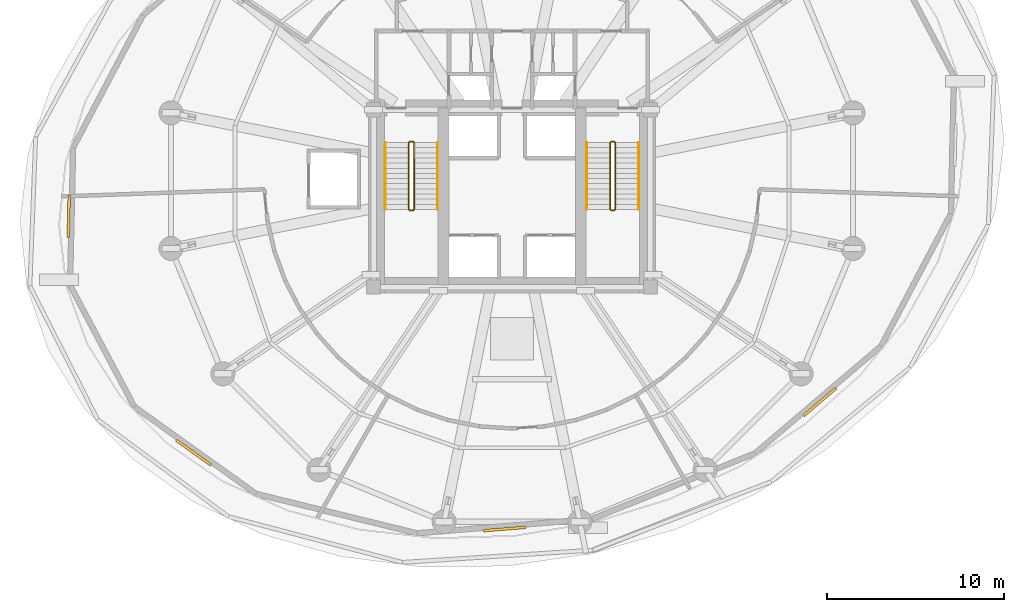
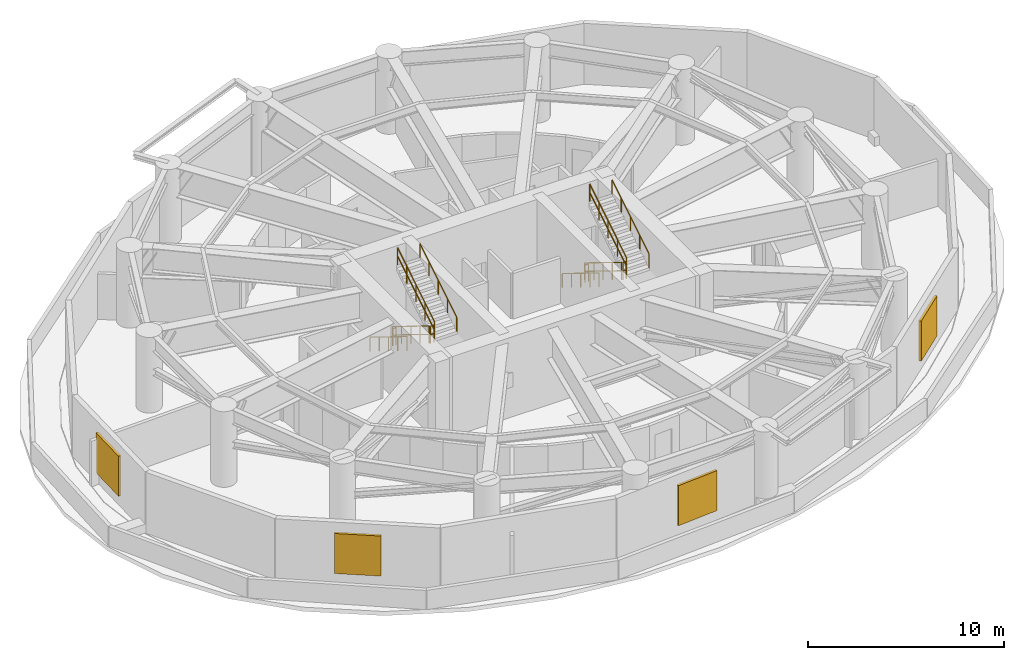
# One storey, part 7 of 8: 12 railings, 4 shading devices.
"""IFC4 building model written with IfcOpenShell, lengths in metres."""

from ifc_helpers import new_model, si_unit, direction, frame, origin, origin_2d, place, context, subcontext, project, spatial, rectangle, extrude, material, layer, layer_set, type_object, element, save


model = new_model("IFC4")

# Units and contexts
model_context = context("Model", 3, precision=1e-05, world=origin(), true_north=direction((0.0, 1.0)))
body_context = subcontext(model_context, "Body", "Model", "MODEL_VIEW")
ifc_project = project(units=[si_unit("LENGTHUNIT", "METRE"), si_unit("AREAUNIT", "SQUARE_METRE"), si_unit("VOLUMEUNIT", "CUBIC_METRE"), si_unit("PLANEANGLEUNIT", "RADIAN"), si_unit("MASSUNIT", "GRAM", prefix="KILO"), si_unit("THERMODYNAMICTEMPERATUREUNIT", "KELVIN"), si_unit("POWERUNIT", "WATT")], contexts=[model_context])

# Site, building, storey
site_placement = place(None, origin())
site = spatial("IfcSite", under=ifc_project, at=site_placement, CompositionType="ELEMENT")
building_placement = place(site_placement, origin())
building = spatial("IfcBuilding", under=site, at=building_placement, Name="Ocrelia Relay Tower", CompositionType="ELEMENT")
storey_placement = place(building_placement, frame((0.0, 0.0, 88.800048828125)))
storey = spatial("IfcBuildingStorey", under=building, at=storey_placement, Name="L20", CompositionType="ELEMENT", Elevation=88.800048828125)

# Railings
ifc_material_1 = material(Name="Steel S355 balustrade", Category="steel")
railing_type_1 = type_object("IfcRailingType", Name="RL-STAIR-GUARD", PredefinedType="GUARDRAIL", material=ifc_material_1)
railing_1_placement = place(storey_placement, frame((28.179931640625, 28.14990234375, 0.178466796875)))
element("IfcRailing", 1, at=railing_1_placement, inside=storey, type_object=railing_type_1, Name="L20 ST1 stair guard 1", PredefinedType="GUARDRAIL", context=body_context, shape_type="SweptSolid", body=[
    extrude(rectangle(XDim=0.048095703125, YDim=0.048095703125, at=origin_2d()), frame((0.0, 0.0, 1.076171875), z_axis=(0.0, -0.851504923564, 0.524346607834), x_axis=(1.0, 0.0, 0.0)), (0.0, 0.0, 1.0), 4.427490234375),
    extrude(rectangle(XDim=0.048095703125, YDim=0.048095703125, at=origin_2d()), frame((0.0, 0.0, 0.550048828125), z_axis=(0.0, -0.851504923564, 0.524346607834), x_axis=(1.0, 0.0, 0.0)), (0.0, 0.0, 1.0), 4.427490234375),
    extrude(rectangle(XDim=0.0419921875, YDim=0.0419921875, at=origin_2d()), origin(), (0.0, 0.0, 1.0), 1.052001953125),
    extrude(rectangle(XDim=0.0419921875, YDim=0.0419921875, at=origin_2d()), frame((0.0, -0.9423828125, 0.580322265625)), (0.0, 0.0, 1.0), 1.052001953125),
    extrude(rectangle(XDim=0.0419921875, YDim=0.0419921875, at=origin_2d()), frame((0.0, -1.885009765625, 1.16064453125)), (0.0, 0.0, 1.0), 1.052001953125),
    extrude(rectangle(XDim=0.0419921875, YDim=0.0419921875, at=origin_2d()), frame((0.0, -2.82763671875, 1.7412109375)), (0.0, 0.0, 1.0), 1.052001953125),
    extrude(rectangle(XDim=0.0419921875, YDim=0.0419921875, at=origin_2d()), frame((0.0, -3.77001953125, 2.321533203125)), (0.0, 0.0, 1.0), 1.052001953125),
])
railing_2_placement = place(storey_placement, frame((28.22998046875, 24.330078125, 2.5)))
element("IfcRailing", 2, at=railing_2_placement, inside=storey, type_object=railing_type_1, Name="L20 ST1 stair guard 2", PredefinedType="GUARDRAIL", context=body_context, shape_type="SweptSolid", body=[
    extrude(rectangle(XDim=0.048095703125, YDim=0.048095703125, at=origin_2d()), frame((0.0, 0.0, 1.076171875), z_axis=(1.0, 0.0, 0.0), x_axis=(0.0, 1.0, 0.0)), (0.0, 0.0, 1.0), 0.199951171875),
    extrude(rectangle(XDim=0.048095703125, YDim=0.048095703125, at=origin_2d()), frame((0.0, 0.0, 0.550048828125), z_axis=(1.0, 0.0, 0.0), x_axis=(0.0, 1.0, 0.0)), (0.0, 0.0, 1.0), 0.199951171875),
    extrude(rectangle(XDim=0.0419921875, YDim=0.0419921875, at=origin_2d()), origin(), (0.0, 0.0, 1.0), 1.052001953125),
    extrude(rectangle(XDim=0.0419921875, YDim=0.0419921875, at=origin_2d()), frame((0.199951171875, 0.0, 0.0)), (0.0, 0.0, 1.0), 1.052001953125),
])
railing_3_placement = place(storey_placement, frame((28.47998046875, 24.3798828125, 2.678466796875)))
element("IfcRailing", 3, at=railing_3_placement, inside=storey, type_object=railing_type_1, Name="L20 ST1 stair guard 3", PredefinedType="GUARDRAIL", context=body_context, shape_type="SweptSolid", body=[
    extrude(rectangle(XDim=0.048095703125, YDim=0.048095703125, at=origin_2d()), frame((0.0, 0.0, 1.076171875), z_axis=(0.0, 0.851504923564, 0.524346607834), x_axis=(-1.0, 0.0, 0.0)), (0.0, 0.0, 1.0), 4.427490234375),
    extrude(rectangle(XDim=0.048095703125, YDim=0.048095703125, at=origin_2d()), frame((0.0, 0.0, 0.550048828125), z_axis=(0.0, 0.851504923564, 0.524346607834), x_axis=(-1.0, 0.0, 0.0)), (0.0, 0.0, 1.0), 4.427490234375),
    extrude(rectangle(XDim=0.0419921875, YDim=0.0419921875, at=origin_2d()), origin(), (0.0, 0.0, 1.0), 1.052001953125),
    extrude(rectangle(XDim=0.0419921875, YDim=0.0419921875, at=origin_2d()), frame((0.0, 0.9423828125, 0.580322265625)), (0.0, 0.0, 1.0), 1.052001953125),
    extrude(rectangle(XDim=0.0419921875, YDim=0.0419921875, at=origin_2d()), frame((0.0, 1.885009765625, 1.16064453125)), (0.0, 0.0, 1.0), 1.052001953125),
    extrude(rectangle(XDim=0.0419921875, YDim=0.0419921875, at=origin_2d()), frame((0.0, 2.82763671875, 1.7412109375)), (0.0, 0.0, 1.0), 1.052001953125),
    extrude(rectangle(XDim=0.0419921875, YDim=0.0419921875, at=origin_2d()), frame((0.0, 3.77001953125, 2.321533203125)), (0.0, 0.0, 1.0), 1.052001953125),
])
railing_4_placement = place(storey_placement, frame((28.22998046875, 28.199951171875, 0.0)))
element("IfcRailing", 4, at=railing_4_placement, inside=storey, type_object=railing_type_1, Name="L20 ST1 stair guard 4", PredefinedType="GUARDRAIL", context=body_context, shape_type="SweptSolid", body=[
    extrude(rectangle(XDim=0.048095703125, YDim=0.048095703125, at=origin_2d()), frame((0.0, 0.0, 1.076171875), z_axis=(1.0, 0.0, 0.0), x_axis=(0.0, 1.0, 0.0)), (0.0, 0.0, 1.0), 0.199951171875),
    extrude(rectangle(XDim=0.048095703125, YDim=0.048095703125, at=origin_2d()), frame((0.0, 0.0, 0.550048828125), z_axis=(1.0, 0.0, 0.0), x_axis=(0.0, 1.0, 0.0)), (0.0, 0.0, 1.0), 0.199951171875),
    extrude(rectangle(XDim=0.0419921875, YDim=0.0419921875, at=origin_2d()), origin(), (0.0, 0.0, 1.0), 1.052001953125),
    extrude(rectangle(XDim=0.0419921875, YDim=0.0419921875, at=origin_2d()), frame((0.199951171875, 0.0, 0.0)), (0.0, 0.0, 1.0), 1.052001953125),
])
railing_5_placement = place(storey_placement, frame((39.530029296875, 28.14990234375, 0.178466796875)))
element("IfcRailing", 5, at=railing_5_placement, inside=storey, type_object=railing_type_1, Name="L20 ST2 stair guard 1", PredefinedType="GUARDRAIL", context=body_context, shape_type="SweptSolid", body=[
    extrude(rectangle(XDim=0.048095703125, YDim=0.048095703125, at=origin_2d()), frame((0.0, 0.0, 1.076171875), z_axis=(0.0, -0.851504923564, 0.524346607834), x_axis=(1.0, 0.0, 0.0)), (0.0, 0.0, 1.0), 4.427490234375),
    extrude(rectangle(XDim=0.048095703125, YDim=0.048095703125, at=origin_2d()), frame((0.0, 0.0, 0.550048828125), z_axis=(0.0, -0.851504923564, 0.524346607834), x_axis=(1.0, 0.0, 0.0)), (0.0, 0.0, 1.0), 4.427490234375),
    extrude(rectangle(XDim=0.0419921875, YDim=0.0419921875, at=origin_2d()), origin(), (0.0, 0.0, 1.0), 1.052001953125),
    extrude(rectangle(XDim=0.0419921875, YDim=0.0419921875, at=origin_2d()), frame((0.0, -0.9423828125, 0.580322265625)), (0.0, 0.0, 1.0), 1.052001953125),
    extrude(rectangle(XDim=0.0419921875, YDim=0.0419921875, at=origin_2d()), frame((0.0, -1.885009765625, 1.16064453125)), (0.0, 0.0, 1.0), 1.052001953125),
    extrude(rectangle(XDim=0.0419921875, YDim=0.0419921875, at=origin_2d()), frame((0.0, -2.82763671875, 1.7412109375)), (0.0, 0.0, 1.0), 1.052001953125),
    extrude(rectangle(XDim=0.0419921875, YDim=0.0419921875, at=origin_2d()), frame((0.0, -3.77001953125, 2.321533203125)), (0.0, 0.0, 1.0), 1.052001953125),
])
railing_6_placement = place(storey_placement, frame((39.580078125, 24.330078125, 2.5)))
element("IfcRailing", 6, at=railing_6_placement, inside=storey, type_object=railing_type_1, Name="L20 ST2 stair guard 2", PredefinedType="GUARDRAIL", context=body_context, shape_type="SweptSolid", body=[
    extrude(rectangle(XDim=0.048095703125, YDim=0.048095703125, at=origin_2d()), frame((0.0, 0.0, 1.076171875), z_axis=(1.0, 0.0, 0.0), x_axis=(0.0, 1.0, 0.0)), (0.0, 0.0, 1.0), 0.199951171875),
    extrude(rectangle(XDim=0.048095703125, YDim=0.048095703125, at=origin_2d()), frame((0.0, 0.0, 0.550048828125), z_axis=(1.0, 0.0, 0.0), x_axis=(0.0, 1.0, 0.0)), (0.0, 0.0, 1.0), 0.199951171875),
    extrude(rectangle(XDim=0.0419921875, YDim=0.0419921875, at=origin_2d()), origin(), (0.0, 0.0, 1.0), 1.052001953125),
    extrude(rectangle(XDim=0.0419921875, YDim=0.0419921875, at=origin_2d()), frame((0.199951171875, 0.0, 0.0)), (0.0, 0.0, 1.0), 1.052001953125),
])
railing_7_placement = place(storey_placement, frame((39.830078125, 24.3798828125, 2.678466796875)))
element("IfcRailing", 7, at=railing_7_placement, inside=storey, type_object=railing_type_1, Name="L20 ST2 stair guard 3", PredefinedType="GUARDRAIL", context=body_context, shape_type="SweptSolid", body=[
    extrude(rectangle(XDim=0.048095703125, YDim=0.048095703125, at=origin_2d()), frame((0.0, 0.0, 1.076171875), z_axis=(0.0, 0.851504923564, 0.524346607834), x_axis=(-1.0, 0.0, 0.0)), (0.0, 0.0, 1.0), 4.427490234375),
    extrude(rectangle(XDim=0.048095703125, YDim=0.048095703125, at=origin_2d()), frame((0.0, 0.0, 0.550048828125), z_axis=(0.0, 0.851504923564, 0.524346607834), x_axis=(-1.0, 0.0, 0.0)), (0.0, 0.0, 1.0), 4.427490234375),
    extrude(rectangle(XDim=0.0419921875, YDim=0.0419921875, at=origin_2d()), origin(), (0.0, 0.0, 1.0), 1.052001953125),
    extrude(rectangle(XDim=0.0419921875, YDim=0.0419921875, at=origin_2d()), frame((0.0, 0.9423828125, 0.580322265625)), (0.0, 0.0, 1.0), 1.052001953125),
    extrude(rectangle(XDim=0.0419921875, YDim=0.0419921875, at=origin_2d()), frame((0.0, 1.885009765625, 1.16064453125)), (0.0, 0.0, 1.0), 1.052001953125),
    extrude(rectangle(XDim=0.0419921875, YDim=0.0419921875, at=origin_2d()), frame((0.0, 2.82763671875, 1.7412109375)), (0.0, 0.0, 1.0), 1.052001953125),
    extrude(rectangle(XDim=0.0419921875, YDim=0.0419921875, at=origin_2d()), frame((0.0, 3.77001953125, 2.321533203125)), (0.0, 0.0, 1.0), 1.052001953125),
])
railing_8_placement = place(storey_placement, frame((39.580078125, 28.199951171875, 0.0)))
element("IfcRailing", 8, at=railing_8_placement, inside=storey, type_object=railing_type_1, Name="L20 ST2 stair guard 4", PredefinedType="GUARDRAIL", context=body_context, shape_type="SweptSolid", body=[
    extrude(rectangle(XDim=0.048095703125, YDim=0.048095703125, at=origin_2d()), frame((0.0, 0.0, 1.076171875), z_axis=(1.0, 0.0, 0.0), x_axis=(0.0, 1.0, 0.0)), (0.0, 0.0, 1.0), 0.199951171875),
    extrude(rectangle(XDim=0.048095703125, YDim=0.048095703125, at=origin_2d()), frame((0.0, 0.0, 0.550048828125), z_axis=(1.0, 0.0, 0.0), x_axis=(0.0, 1.0, 0.0)), (0.0, 0.0, 1.0), 0.199951171875),
    extrude(rectangle(XDim=0.0419921875, YDim=0.0419921875, at=origin_2d()), origin(), (0.0, 0.0, 1.0), 1.052001953125),
    extrude(rectangle(XDim=0.0419921875, YDim=0.0419921875, at=origin_2d()), frame((0.199951171875, 0.0, 0.0)), (0.0, 0.0, 1.0), 1.052001953125),
])
ifc_material_2 = material(Name="Steel S355 tubular handrail", Category="steel")
railing_type_2 = type_object("IfcRailingType", Name="RL-STAIR-HAND", PredefinedType="HANDRAIL", material=ifc_material_2)
railing_9_placement = place(storey_placement, frame((26.860107421875, 28.14990234375, 0.178466796875)))
element("IfcRailing", 9, at=railing_9_placement, inside=storey, type_object=railing_type_2, Name="L20 ST1 stair handrail 1", PredefinedType="HANDRAIL", context=body_context, shape_type="SweptSolid", body=[
    extrude(rectangle(XDim=0.048095703125, YDim=0.048095703125, at=origin_2d()), frame((0.0, 0.0, 0.8759765625), z_axis=(0.0, -0.851504923564, 0.524346607834), x_axis=(1.0, 0.0, 0.0)), (0.0, 0.0, 1.0), 4.427490234375),
    extrude(rectangle(XDim=0.0419921875, YDim=0.0419921875, at=origin_2d()), origin(), (0.0, 0.0, 1.0), 0.851806640625),
    extrude(rectangle(XDim=0.0419921875, YDim=0.0419921875, at=origin_2d()), frame((0.0, -0.9423828125, 0.580322265625)), (0.0, 0.0, 1.0), 0.851806640625),
    extrude(rectangle(XDim=0.0419921875, YDim=0.0419921875, at=origin_2d()), frame((0.0, -1.885009765625, 1.16064453125)), (0.0, 0.0, 1.0), 0.851806640625),
    extrude(rectangle(XDim=0.0419921875, YDim=0.0419921875, at=origin_2d()), frame((0.0, -2.82763671875, 1.7412109375)), (0.0, 0.0, 1.0), 0.851806640625),
    extrude(rectangle(XDim=0.0419921875, YDim=0.0419921875, at=origin_2d()), frame((0.0, -3.77001953125, 2.321533203125)), (0.0, 0.0, 1.0), 0.851806640625),
])
railing_10_placement = place(storey_placement, frame((29.800048828125, 24.3798828125, 2.678466796875)))
element("IfcRailing", 10, at=railing_10_placement, inside=storey, type_object=railing_type_2, Name="L20 ST1 stair handrail 2", PredefinedType="HANDRAIL", context=body_context, shape_type="SweptSolid", body=[
    extrude(rectangle(XDim=0.048095703125, YDim=0.048095703125, at=origin_2d()), frame((0.0, 0.0, 0.8759765625), z_axis=(0.0, 0.851504923564, 0.524346607834), x_axis=(-1.0, 0.0, 0.0)), (0.0, 0.0, 1.0), 4.427490234375),
    extrude(rectangle(XDim=0.0419921875, YDim=0.0419921875, at=origin_2d()), origin(), (0.0, 0.0, 1.0), 0.851806640625),
    extrude(rectangle(XDim=0.0419921875, YDim=0.0419921875, at=origin_2d()), frame((0.0, 0.9423828125, 0.580322265625)), (0.0, 0.0, 1.0), 0.851806640625),
    extrude(rectangle(XDim=0.0419921875, YDim=0.0419921875, at=origin_2d()), frame((0.0, 1.885009765625, 1.16064453125)), (0.0, 0.0, 1.0), 0.851806640625),
    extrude(rectangle(XDim=0.0419921875, YDim=0.0419921875, at=origin_2d()), frame((0.0, 2.82763671875, 1.7412109375)), (0.0, 0.0, 1.0), 0.851806640625),
    extrude(rectangle(XDim=0.0419921875, YDim=0.0419921875, at=origin_2d()), frame((0.0, 3.77001953125, 2.321533203125)), (0.0, 0.0, 1.0), 0.851806640625),
])
railing_11_placement = place(storey_placement, frame((38.2099609375, 28.14990234375, 0.178466796875)))
element("IfcRailing", 11, at=railing_11_placement, inside=storey, type_object=railing_type_2, Name="L20 ST2 stair handrail 1", PredefinedType="HANDRAIL", context=body_context, shape_type="SweptSolid", body=[
    extrude(rectangle(XDim=0.048095703125, YDim=0.048095703125, at=origin_2d()), frame((0.0, 0.0, 0.8759765625), z_axis=(0.0, -0.851504923564, 0.524346607834), x_axis=(1.0, 0.0, 0.0)), (0.0, 0.0, 1.0), 4.427490234375),
    extrude(rectangle(XDim=0.0419921875, YDim=0.0419921875, at=origin_2d()), origin(), (0.0, 0.0, 1.0), 0.851806640625),
    extrude(rectangle(XDim=0.0419921875, YDim=0.0419921875, at=origin_2d()), frame((0.0, -0.9423828125, 0.580322265625)), (0.0, 0.0, 1.0), 0.851806640625),
    extrude(rectangle(XDim=0.0419921875, YDim=0.0419921875, at=origin_2d()), frame((0.0, -1.885009765625, 1.16064453125)), (0.0, 0.0, 1.0), 0.851806640625),
    extrude(rectangle(XDim=0.0419921875, YDim=0.0419921875, at=origin_2d()), frame((0.0, -2.82763671875, 1.7412109375)), (0.0, 0.0, 1.0), 0.851806640625),
    extrude(rectangle(XDim=0.0419921875, YDim=0.0419921875, at=origin_2d()), frame((0.0, -3.77001953125, 2.321533203125)), (0.0, 0.0, 1.0), 0.851806640625),
])
railing_12_placement = place(storey_placement, frame((41.14990234375, 24.3798828125, 2.678466796875)))
element("IfcRailing", 12, at=railing_12_placement, inside=storey, type_object=railing_type_2, Name="L20 ST2 stair handrail 2", PredefinedType="HANDRAIL", context=body_context, shape_type="SweptSolid", body=[
    extrude(rectangle(XDim=0.048095703125, YDim=0.048095703125, at=origin_2d()), frame((0.0, 0.0, 0.8759765625), z_axis=(0.0, 0.851504923564, 0.524346607834), x_axis=(-1.0, 0.0, 0.0)), (0.0, 0.0, 1.0), 4.427490234375),
    extrude(rectangle(XDim=0.0419921875, YDim=0.0419921875, at=origin_2d()), origin(), (0.0, 0.0, 1.0), 0.851806640625),
    extrude(rectangle(XDim=0.0419921875, YDim=0.0419921875, at=origin_2d()), frame((0.0, 0.9423828125, 0.580322265625)), (0.0, 0.0, 1.0), 0.851806640625),
    extrude(rectangle(XDim=0.0419921875, YDim=0.0419921875, at=origin_2d()), frame((0.0, 1.885009765625, 1.16064453125)), (0.0, 0.0, 1.0), 0.851806640625),
    extrude(rectangle(XDim=0.0419921875, YDim=0.0419921875, at=origin_2d()), frame((0.0, 2.82763671875, 1.7412109375)), (0.0, 0.0, 1.0), 0.851806640625),
    extrude(rectangle(XDim=0.0419921875, YDim=0.0419921875, at=origin_2d()), frame((0.0, 3.77001953125, 2.321533203125)), (0.0, 0.0, 1.0), 0.851806640625),
])

# Shading devices
ifc_material_3 = material(Name="Acoustic bronze-terracotta aluminium louvre", Category="masonry")
ifc_layer = layer(ifc_material_3, 0.14990234375, Name="Acoustic bronze-terracotta aluminium louvre")
ifc_layer_set = layer_set([ifc_layer], Name="Acoustic bronze-terracotta aluminium louvre")
shading_device_type = type_object("IfcShadingDeviceType", Name="SH-PLANT-LOUVRE", PredefinedType="JALOUSIE", material=ifc_layer_set)
for number, where, z_axis, x_axis, name in (
    (13, (9.01220703125, 23.988037109375, 0.64990234375), (0.0, 0.0, 1.0), (-0.022052794824, -0.999756807549, 0.0), "L20 High-Altitude Plant Intake Louvre 08"),
    (14, (16.047119140625, 10.673828125, 0.64990234375), (0.0, 0.0, 1.0), (0.813224785985, -0.581949694957, 0.0), "L20 High-Altitude Plant Intake Louvre 10"),
    (15, (33.583251953125, 6.365234375, 0.64990234375), (0.0, 0.0, 1.0), (0.996721354424, 0.080910701614, 0.0), "L20 High-Altitude Plant Intake Louvre 12"),
    (16, (51.35595703125, 13.5322265625, 0.64990234375), (0.0, 0.0, 1.0), (0.761613905511, 0.648031063246, 0.0), "L20 High-Altitude Plant Intake Louvre 14"),
):
    element("IfcShadingDevice", number, at=place(storey_placement, frame(where, z_axis=z_axis, x_axis=x_axis)), inside=storey, type_object=shading_device_type, Name=name, PredefinedType="JALOUSIE", context=body_context, shape_type="SweptSolid", body=[
        extrude(rectangle(XDim=2.39990234375, YDim=0.14990234375, at=origin_2d()), origin(), (0.0, 0.0, 1.0), 2.5),
    ])

save(model, "model.ifc")
